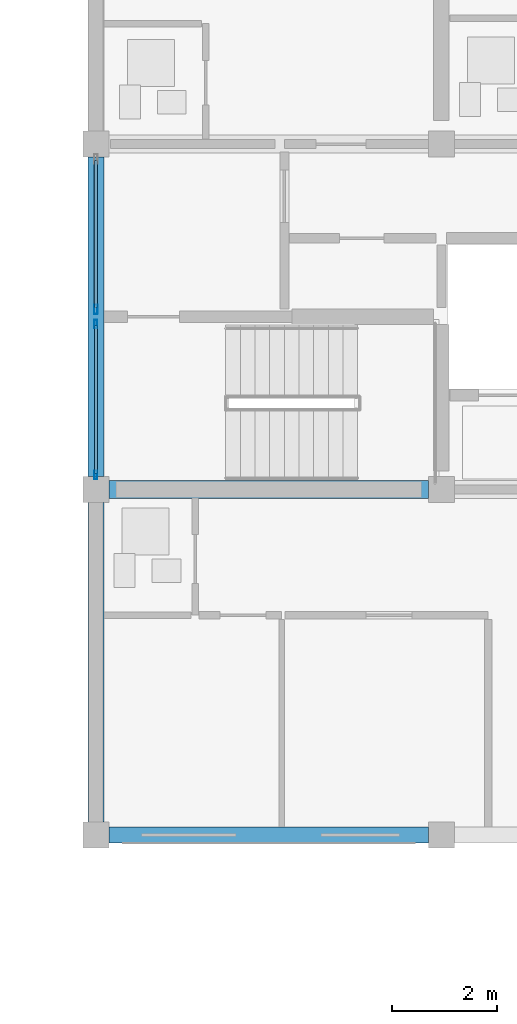
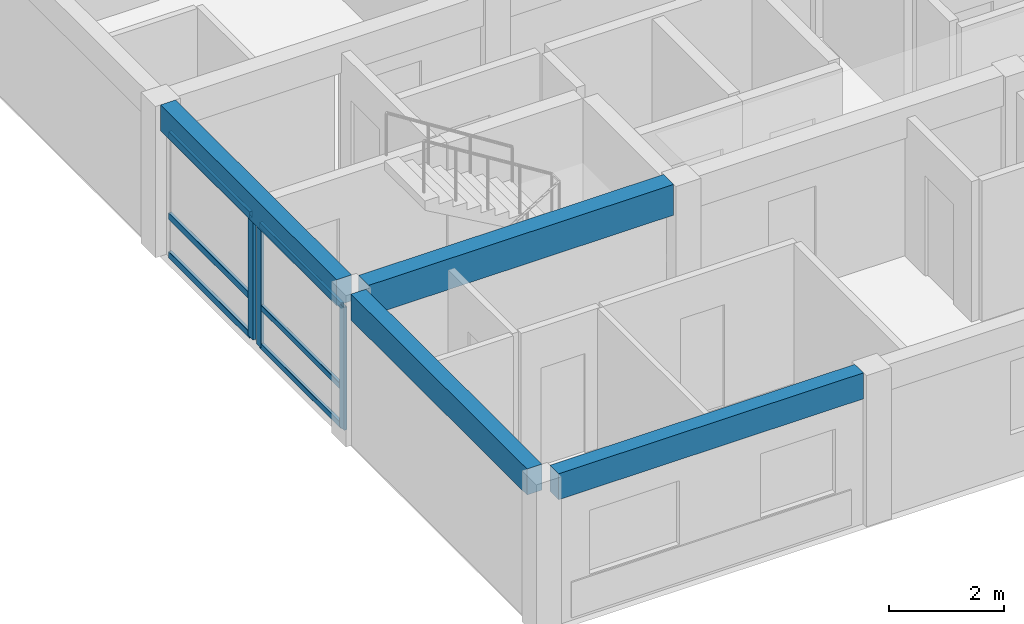
# One storey, part 17 of 46: 9 members, 4 beams, 2 elements without a shape of their own.
"""IFC4 building model written with IfcOpenShell, lengths in metres."""

from ifc_helpers import new_model, si_unit, direction, frame, origin, origin_2d, place, context, subcontext, project, spatial, rectangle, hollow_rectangle, extrude, material, material_profile, profile_set, type_object, element, aggregate, save


model = new_model("IFC4")

# Units and contexts
model_context = context("Model", 3, precision=1e-05, world=origin(), true_north=direction((0.0, 1.0)))
body_context = subcontext(model_context, "Body", "Model", "MODEL_VIEW")
ifc_project = project(units=[si_unit("LENGTHUNIT", "METRE"), si_unit("AREAUNIT", "SQUARE_METRE"), si_unit("VOLUMEUNIT", "CUBIC_METRE"), si_unit("PLANEANGLEUNIT", "RADIAN"), si_unit("MASSUNIT", "GRAM", prefix="KILO")], contexts=[model_context])

# Site, building, storey
site_placement = place(None, origin())
site = spatial("IfcSite", under=ifc_project, at=site_placement, CompositionType="ELEMENT")
building_placement = place(site_placement, origin())
building = spatial("IfcBuilding", under=site, at=building_placement, Name="Kernevlak Ridge Housing Community", CompositionType="ELEMENT")
storey_placement = place(building_placement, frame((0.0, 0.0, 27.60009765625)))
storey = spatial("IfcBuildingStorey", under=building, at=storey_placement, Name="L08", CompositionType="ELEMENT", Elevation=27.60009765625)

# Beam
ifc_material_1 = material(Name="Concrete C35/45", Category="concrete")
ifc_material_profile_1 = material_profile(ifc_material_1, rectangle(XDim=0.35009765625, YDim=0.64990234375, at=origin_2d()), Name="RC 350x650")
ifc_profile_set_1 = profile_set([ifc_material_profile_1], Name="Concrete C35/45")
beam_type_1 = type_object("IfcBeamType", Name="B-02", PredefinedType="BEAM", material=ifc_profile_set_1)
beam_1_placement = place(storey_placement, frame((119.64990234375, 89.199951171875, 2.875), z_axis=(1.0, 0.0, 0.0), x_axis=(0.0, 1.0, 0.0)))
element("IfcBeam", 1, at=beam_1_placement, inside=storey, type_object=beam_type_1, Name="Beam B-02 L08 790", PredefinedType="BEAM", context=body_context, shape_type="SweptSolid", body=[
    extrude(rectangle(XDim=0.35009765625, YDim=0.64990234375, at=origin_2d()), origin(), (0.0, 0.0, 1.0), 6.10009765625),
])

# Curtain wall, members
ifc_material_2 = material(Name="Aluminium EN AW-6060 anodised and laminated glass", Category="aluminium")
curtain_wall_type_1 = type_object("IfcCurtainWallType", Name="CW-04", PredefinedType="NOTDEFINED", material=ifc_material_2)
curtain_wall_1_placement = place(storey_placement, origin())
curtain_wall_1 = element("IfcCurtainWall", 2, at=curtain_wall_1_placement, inside=storey, type_object=curtain_wall_type_1, Name="Curtain wall CW-04 CW-L08-079", PredefinedType="NOTDEFINED")
ifc_material_3 = material(Name="Aluminium EN AW-6060 anodised", Category="aluminium")
ifc_material_profile_2 = material_profile(ifc_material_3, hollow_rectangle(XDim=0.06005859375, YDim=0.159912109375, WallThickness=0.00390625, InnerFilletRadius=0.001953125, OuterFilletRadius=0.00390625, at=origin_2d()), Name="ALU 60x160x4")
ifc_profile_set_2 = profile_set([ifc_material_profile_2], Name="Aluminium EN AW-6060 anodised")
member_type_1 = type_object("IfcMemberType", Name="MU-02", PredefinedType="MULLION", material=ifc_profile_set_2)
member_1_placement = place(storey_placement, frame((119.39990234375, 89.47998046875, 0.0), z_axis=(0.0, 0.0, 1.0), x_axis=(-1.0, 0.0, 0.0)))
member_1 = element("IfcMember", 3, at=member_1_placement, type_object=member_type_1, Name="CW-04 mullion 1", PredefinedType="MULLION", context=body_context, shape_type="SweptSolid", body=[
    extrude(hollow_rectangle(XDim=0.06005859375, YDim=0.159912109375, WallThickness=0.00390625, InnerFilletRadius=0.001953125, OuterFilletRadius=0.00390625, at=origin_2d()), origin(), (0.0, 0.0, 1.0), 2.599853515625),
])
member_2_placement = place(storey_placement, frame((119.39990234375, 92.360107421875, 0.0), z_axis=(0.0, 0.0, 1.0), x_axis=(-1.0, 0.0, 0.0)))
member_2 = element("IfcMember", 4, at=member_2_placement, type_object=member_type_1, Name="CW-04 mullion 2", PredefinedType="MULLION", context=body_context, shape_type="SweptSolid", body=[
    extrude(hollow_rectangle(XDim=0.06005859375, YDim=0.159912109375, WallThickness=0.00390625, InnerFilletRadius=0.001953125, OuterFilletRadius=0.00390625, at=origin_2d()), origin(), (0.0, 0.0, 1.0), 2.599853515625),
])

# Curtain wall, member
curtain_wall_type_2 = type_object("IfcCurtainWallType", Name="CW-09", PredefinedType="NOTDEFINED", material=ifc_material_2)
curtain_wall_2_placement = place(storey_placement, origin())
curtain_wall_2 = element("IfcCurtainWall", 5, at=curtain_wall_2_placement, inside=storey, type_object=curtain_wall_type_2, Name="Curtain wall CW-09 CW-L08-080", PredefinedType="NOTDEFINED")
ifc_material_profile_3 = material_profile(ifc_material_3, hollow_rectangle(XDim=0.06494140625, YDim=0.179931640625, WallThickness=0.00439453125, InnerFilletRadius=0.001953125, OuterFilletRadius=0.00439453125, at=origin_2d()), Name="ALU 65x180x4.5")
ifc_profile_set_3 = profile_set([ifc_material_profile_3], Name="Aluminium EN AW-6060 anodised")
member_type_2 = type_object("IfcMemberType", Name="MU-03", PredefinedType="MULLION", material=ifc_profile_set_3)
member_3_placement = place(storey_placement, frame((119.39990234375, 92.642578125, 0.0), z_axis=(0.0, 0.0, 1.0), x_axis=(-1.0, 0.0, 0.0)))
member_3 = element("IfcMember", 6, at=member_3_placement, type_object=member_type_2, Name="CW-09 mullion 1", PredefinedType="MULLION", context=body_context, shape_type="SweptSolid", body=[
    extrude(hollow_rectangle(XDim=0.06494140625, YDim=0.179931640625, WallThickness=0.00439453125, InnerFilletRadius=0.001953125, OuterFilletRadius=0.00439453125, at=origin_2d()), origin(), (0.0, 0.0, 1.0), 2.599853515625),
])

# Beams
ifc_material_profile_4 = material_profile(ifc_material_1, rectangle(XDim=0.300048828125, YDim=0.550048828125, at=origin_2d()), Name="RC 300x550")
ifc_profile_set_4 = profile_set([ifc_material_profile_4], Name="Concrete C35/45")
beam_type_2 = type_object("IfcBeamType", Name="SP-01", PredefinedType="SPANDREL", material=ifc_profile_set_4)
beam_2_placement = place(storey_placement, frame((119.64990234375, 82.60009765625, 2.9248046875), z_axis=(1.0, 0.0, 0.0), x_axis=(0.0, 1.0, 0.0)))
element("IfcBeam", 7, at=beam_2_placement, inside=storey, type_object=beam_type_2, Name="Beam SP-01 L08 785", PredefinedType="SPANDREL", context=body_context, shape_type="SweptSolid", body=[
    extrude(rectangle(XDim=0.300048828125, YDim=0.550048828125, at=origin_2d()), origin(), (0.0, 0.0, 1.0), 6.10009765625),
])
beam_3_placement = place(storey_placement, frame((119.39990234375, 82.85009765625, 2.9248046875), z_axis=(0.0, 1.0, 0.0), x_axis=(-1.0, 0.0, 0.0)))
element("IfcBeam", 8, at=beam_3_placement, inside=storey, type_object=beam_type_2, Name="Beam SP-01 L08 805", PredefinedType="SPANDREL", context=body_context, shape_type="SweptSolid", body=[
    extrude(rectangle(XDim=0.300048828125, YDim=0.550048828125, at=origin_2d()), origin(), (0.0, 0.0, 1.0), 6.099853515625),
])
beam_4_placement = place(storey_placement, frame((119.39990234375, 89.449951171875, 2.9248046875), z_axis=(0.0, 1.0, 0.0), x_axis=(-1.0, 0.0, 0.0)))
element("IfcBeam", 9, at=beam_4_placement, inside=storey, type_object=beam_type_2, Name="Beam SP-01 L08 806", PredefinedType="SPANDREL", context=body_context, shape_type="SweptSolid", body=[
    extrude(rectangle(XDim=0.300048828125, YDim=0.550048828125, at=origin_2d()), origin(), (0.0, 0.0, 1.0), 6.10009765625),
])

# Member
ifc_material_profile_5 = material_profile(ifc_material_3, hollow_rectangle(XDim=0.06005859375, YDim=0.1201171875, WallThickness=0.00390625, InnerFilletRadius=0.001953125, OuterFilletRadius=0.00390625, at=origin_2d()), Name="ALU 60x120x4")
ifc_profile_set_5 = profile_set([ifc_material_profile_5], Name="Aluminium EN AW-6060 anodised")
member_type_3 = type_object("IfcMemberType", Name="TM-02", PredefinedType="USERDEFINED", material=ifc_profile_set_5)
member_4_placement = place(storey_placement, frame((119.39990234375, 89.510009765625, 0.02978515625), z_axis=(0.0, 1.0, 0.0), x_axis=(-1.0, 0.0, 0.0)))
member_4 = element("IfcMember", 10, at=member_4_placement, type_object=member_type_3, Name="CW-04 transom 1.1", ObjectType="TRANSOM", PredefinedType="USERDEFINED", context=body_context, shape_type="SweptSolid", body=[
    extrude(hollow_rectangle(XDim=0.06005859375, YDim=0.1201171875, WallThickness=0.00390625, InnerFilletRadius=0.001953125, OuterFilletRadius=0.00390625, at=origin_2d()), origin(), (0.0, 0.0, 1.0), 2.820068359375),
])

member_5_placement = place(storey_placement, frame((119.39990234375, 89.510009765625, 0.849853515625), z_axis=(0.0, 1.0, 0.0), x_axis=(-1.0, 0.0, 0.0)))
member_5 = element("IfcMember", 11, at=member_5_placement, type_object=member_type_3, Name="CW-04 transom 1.2", ObjectType="TRANSOM", PredefinedType="USERDEFINED", context=body_context, shape_type="SweptSolid", body=[
    extrude(hollow_rectangle(XDim=0.06005859375, YDim=0.1201171875, WallThickness=0.00390625, InnerFilletRadius=0.001953125, OuterFilletRadius=0.00390625, at=origin_2d()), origin(), (0.0, 0.0, 1.0), 2.820068359375),
])

member_6_placement = place(storey_placement, frame((119.39990234375, 89.510009765625, 2.56982421875), z_axis=(0.0, 1.0, 0.0), x_axis=(-1.0, 0.0, 0.0)))
member_6 = element("IfcMember", 12, at=member_6_placement, type_object=member_type_3, Name="CW-04 transom 1.3", ObjectType="TRANSOM", PredefinedType="USERDEFINED", context=body_context, shape_type="SweptSolid", body=[
    extrude(hollow_rectangle(XDim=0.06005859375, YDim=0.1201171875, WallThickness=0.00390625, InnerFilletRadius=0.001953125, OuterFilletRadius=0.00390625, at=origin_2d()), origin(), (0.0, 0.0, 1.0), 2.820068359375),
])

aggregate(curtain_wall_1, [member_1, member_2, member_4, member_5, member_6])

ifc_material_profile_6 = material_profile(ifc_material_3, hollow_rectangle(XDim=0.06494140625, YDim=0.139892578125, WallThickness=0.00390625, InnerFilletRadius=0.001953125, OuterFilletRadius=0.00390625, at=origin_2d()), Name="ALU 65x140x4")
ifc_profile_set_6 = profile_set([ifc_material_profile_6], Name="Aluminium EN AW-6060 anodised")
member_type_4 = type_object("IfcMemberType", Name="TM-03", PredefinedType="USERDEFINED", material=ifc_profile_set_6)
member_7_placement = place(storey_placement, frame((119.39990234375, 92.675048828125, 0.032470703125), z_axis=(0.0, 1.0, 0.0), x_axis=(-1.0, 0.0, 0.0)))
member_7 = element("IfcMember", 13, at=member_7_placement, type_object=member_type_4, Name="CW-09 transom 1.1", ObjectType="TRANSOM", PredefinedType="USERDEFINED", context=body_context, shape_type="SweptSolid", body=[
    extrude(hollow_rectangle(XDim=0.06494140625, YDim=0.139892578125, WallThickness=0.00390625, InnerFilletRadius=0.001953125, OuterFilletRadius=0.00390625, at=origin_2d()), origin(), (0.0, 0.0, 1.0), 2.81005859375),
])

member_8_placement = place(storey_placement, frame((119.39990234375, 92.675048828125, 0.849853515625), z_axis=(0.0, 1.0, 0.0), x_axis=(-1.0, 0.0, 0.0)))
member_8 = element("IfcMember", 14, at=member_8_placement, type_object=member_type_4, Name="CW-09 transom 1.2", ObjectType="TRANSOM", PredefinedType="USERDEFINED", context=body_context, shape_type="SweptSolid", body=[
    extrude(hollow_rectangle(XDim=0.06494140625, YDim=0.139892578125, WallThickness=0.00390625, InnerFilletRadius=0.001953125, OuterFilletRadius=0.00390625, at=origin_2d()), origin(), (0.0, 0.0, 1.0), 2.81005859375),
])

member_9_placement = place(storey_placement, frame((119.39990234375, 92.675048828125, 2.5673828125), z_axis=(0.0, 1.0, 0.0), x_axis=(-1.0, 0.0, 0.0)))
member_9 = element("IfcMember", 15, at=member_9_placement, type_object=member_type_4, Name="CW-09 transom 1.3", ObjectType="TRANSOM", PredefinedType="USERDEFINED", context=body_context, shape_type="SweptSolid", body=[
    extrude(hollow_rectangle(XDim=0.06494140625, YDim=0.139892578125, WallThickness=0.00390625, InnerFilletRadius=0.001953125, OuterFilletRadius=0.00390625, at=origin_2d()), origin(), (0.0, 0.0, 1.0), 2.81005859375),
])

aggregate(curtain_wall_2, [member_3, member_7, member_8, member_9])

save(model, "model.ifc")
